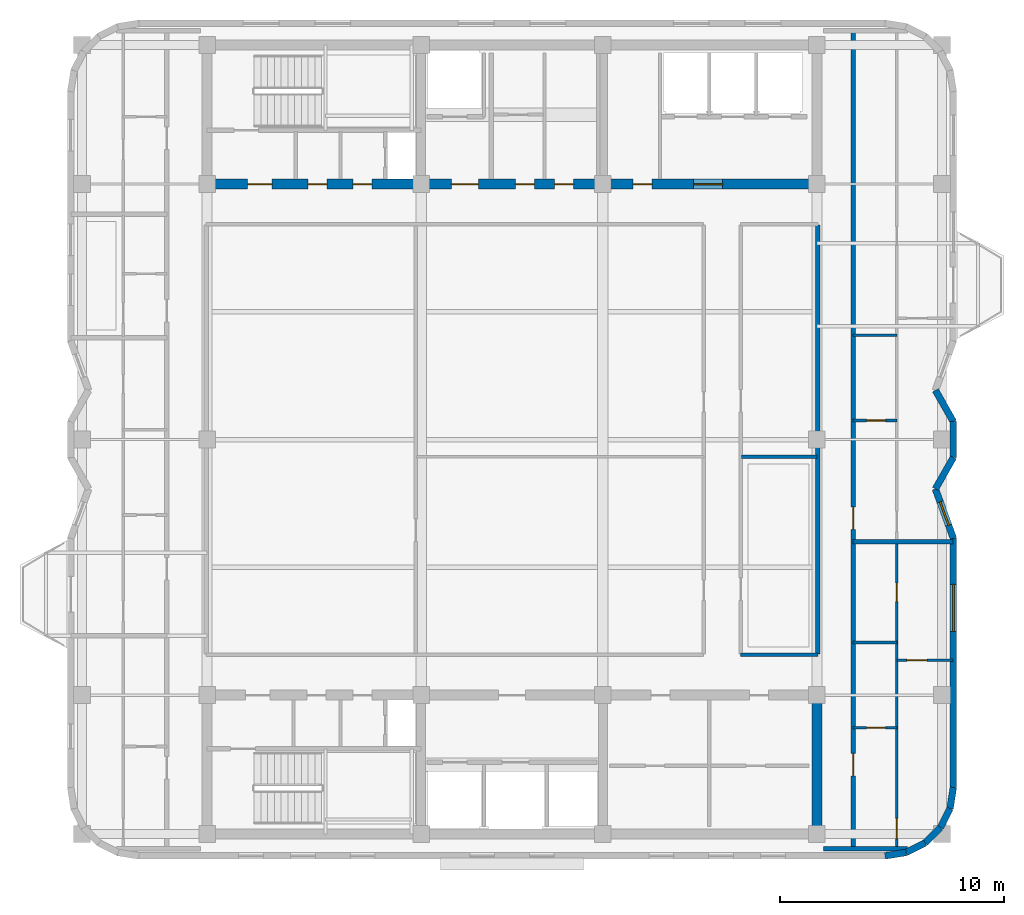
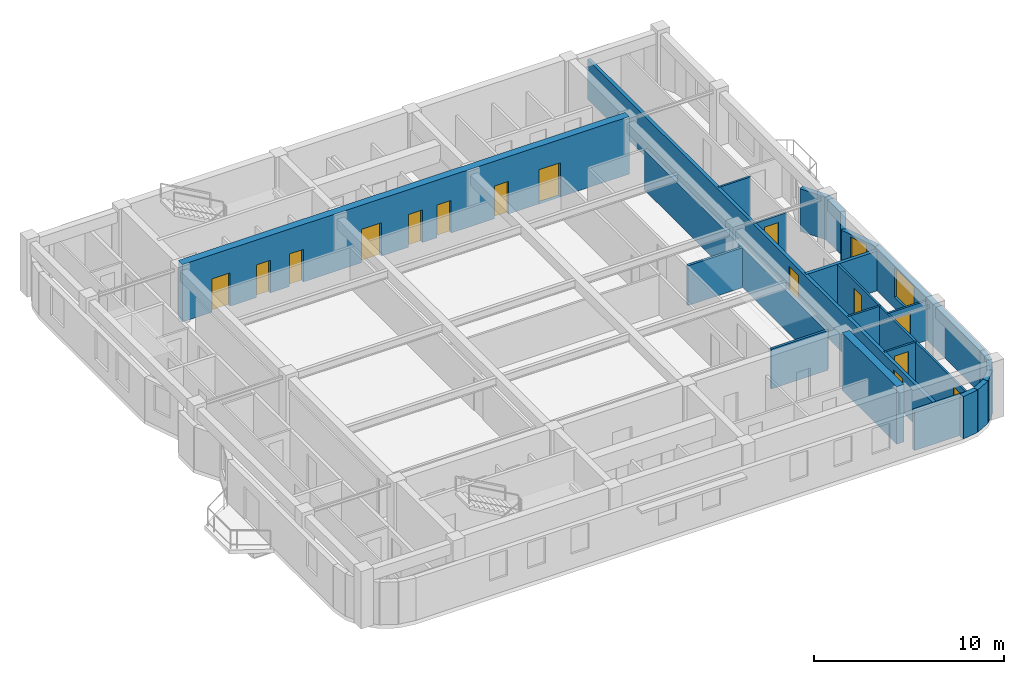
# One storey, part 5 of 9: 24 walls, 15 doors, 2 windows, 17 openings.
"""IFC4 building model written with IfcOpenShell, lengths in metres."""

from ifc_helpers import new_model, si_unit, direction, frame, frame_2d, origin, place, context, subcontext, project, spatial, rectangle, extrude, material, layer, layer_set, type_object, element, fill, save


model = new_model("IFC4")

# Units and contexts
model_context = context("Model", 3, precision=1e-05, world=origin(), true_north=direction((0.0, 1.0)))
body_context = subcontext(model_context, "Body", "Model", "MODEL_VIEW")
ifc_project = project(units=[si_unit("LENGTHUNIT", "METRE"), si_unit("AREAUNIT", "SQUARE_METRE"), si_unit("VOLUMEUNIT", "CUBIC_METRE"), si_unit("PLANEANGLEUNIT", "RADIAN"), si_unit("MASSUNIT", "GRAM", prefix="KILO")], contexts=[model_context])

# Site, building, storey
site_placement = place(None, origin())
site = spatial("IfcSite", under=ifc_project, at=site_placement, CompositionType="ELEMENT")
building_placement = place(site_placement, origin())
building = spatial("IfcBuilding", under=site, at=building_placement, Name="Svetorya Sky Lyceum", CompositionType="ELEMENT")
storey_placement = place(building_placement, frame((0.0, 0.0, 271.300048828125)))
storey = spatial("IfcBuildingStorey", under=building, at=storey_placement, Name="L68", CompositionType="ELEMENT", Elevation=271.300048828125)

# Wall
ifc_material_1 = material(Name="Concrete C50/60", Category="concrete")
ifc_layer_1 = layer(ifc_material_1, 0.449951171875)
ifc_layer_set_1 = layer_set([ifc_layer_1], Name="Concrete C50/60")
wall_type_1 = type_object("IfcWallType", Name="WL-CORE-450", PredefinedType="SHEAR", material=ifc_layer_set_1)
wall_1_placement = place(storey_placement, frame((52.800048828125, 10.824951171875, 0.0), z_axis=(0.0, 0.0, 1.0), x_axis=(0.0, 1.0, 0.0)))
element("IfcWall", 1, at=wall_1_placement, inside=storey, type_object=wall_type_1, Name="L68 SC East Core Shear Wall", PredefinedType="SHEAR", context=body_context, shape_type="SweptSolid", body=[
    extrude(rectangle(XDim=5.75, YDim=0.449951171875, at=frame_2d((2.875, 0.0))), origin(), (0.0, 0.0, 1.0), 3.699951171875),
])

# Wall, openings, doors
wall_2_placement = place(storey_placement, frame((52.800048828125, 39.60009765625, 0.0), z_axis=(0.0, 0.0, 1.0), x_axis=(-1.0, 0.0, 0.0)))
wall_2 = element("IfcWall", 2, at=wall_2_placement, inside=storey, type_object=wall_type_1, Name="L68 NC Inner Core Shear Wall", PredefinedType="SHEAR", context=body_context, shape_type="SweptSolid", body=[
    extrude(rectangle(XDim=27.199951171875, YDim=0.449951171875, at=frame_2d((13.60009765625, 0.0))), origin(), (0.0, 0.0, 1.0), 3.699951171875),
])
opening_1_placement = place(wall_2_placement, frame((24.300048828125, 0.0, 0.0)))
opening_1 = element("IfcOpeningElement", 3, at=opening_1_placement, cuts=wall_2, Name="Opening D-ST1", PredefinedType="OPENING", context=body_context, shape_type="SweptSolid", body=[
    extrude(rectangle(XDim=1.10009765625, YDim=2.14990234375, at=frame_2d((0.550048828125, 1.074951171875))), frame((0.0, 0.23486328125, 0.0), z_axis=(0.0, -1.0, 0.0), x_axis=(1.0, 0.0, 0.0)), (0.0, 0.0, 1.0), 0.469970703125),
])
opening_2_placement = place(wall_2_placement, frame((21.85009765625, 0.0, 0.0)))
opening_2 = element("IfcOpeningElement", 4, at=opening_2_placement, cuts=wall_2, Name="Opening D-CWC1", PredefinedType="OPENING", context=body_context, shape_type="SweptSolid", body=[
    extrude(rectangle(XDim=0.85009765625, YDim=2.10009765625, at=frame_2d((0.425048828125, 1.050048828125))), frame((0.0, 0.23486328125, 0.0), z_axis=(0.0, -1.0, 0.0), x_axis=(1.0, 0.0, 0.0)), (0.0, 0.0, 1.0), 0.469970703125),
])
opening_3_placement = place(wall_2_placement, frame((19.85009765625, 0.0, 0.0)))
opening_3 = element("IfcOpeningElement", 5, at=opening_3_placement, cuts=wall_2, Name="Opening D-CWC1", PredefinedType="OPENING", context=body_context, shape_type="SweptSolid", body=[
    extrude(rectangle(XDim=0.85009765625, YDim=2.10009765625, at=frame_2d((0.425048828125, 1.050048828125))), frame((0.0, 0.23486328125, 0.0), z_axis=(0.0, -1.0, 0.0), x_axis=(1.0, 0.0, 0.0)), (0.0, 0.0, 1.0), 0.469970703125),
])
opening_4_placement = place(wall_2_placement, frame((15.10009765625, 0.0, 0.0)))
opening_4 = element("IfcOpeningElement", 6, at=opening_4_placement, cuts=wall_2, Name="Opening D-FL1", PredefinedType="OPENING", context=body_context, shape_type="SweptSolid", body=[
    extrude(rectangle(XDim=1.199951171875, YDim=2.14990234375, at=frame_2d((0.60009765625, 1.074951171875))), frame((0.0, 0.23486328125, 0.0), z_axis=(0.0, -1.0, 0.0), x_axis=(1.0, 0.0, 0.0)), (0.0, 0.0, 1.0), 0.469970703125),
])
opening_5_placement = place(wall_2_placement, frame((12.60009765625, 0.0, 0.0)))
opening_5 = element("IfcOpeningElement", 7, at=opening_5_placement, cuts=wall_2, Name="Opening D-CWC1", PredefinedType="OPENING", context=body_context, shape_type="SweptSolid", body=[
    extrude(rectangle(XDim=0.85009765625, YDim=2.10009765625, at=frame_2d((0.425048828125, 1.050048828125))), frame((0.0, 0.23486328125, 0.0), z_axis=(0.0, -1.0, 0.0), x_axis=(1.0, 0.0, 0.0)), (0.0, 0.0, 1.0), 0.469970703125),
])
opening_6_placement = place(wall_2_placement, frame((10.85009765625, 0.0, 0.0)))
opening_6 = element("IfcOpeningElement", 8, at=opening_6_placement, cuts=wall_2, Name="Opening D-CWC1", PredefinedType="OPENING", context=body_context, shape_type="SweptSolid", body=[
    extrude(rectangle(XDim=0.85009765625, YDim=2.10009765625, at=frame_2d((0.425048828125, 1.050048828125))), frame((0.0, 0.23486328125, 0.0), z_axis=(0.0, -1.0, 0.0), x_axis=(1.0, 0.0, 0.0)), (0.0, 0.0, 1.0), 0.469970703125),
])
opening_7_placement = place(wall_2_placement, frame((7.35009765625, 0.0, 0.0)))
opening_7 = element("IfcOpeningElement", 9, at=opening_7_placement, cuts=wall_2, Name="Opening D-CWC1", PredefinedType="OPENING", context=body_context, shape_type="SweptSolid", body=[
    extrude(rectangle(XDim=0.85009765625, YDim=2.10009765625, at=frame_2d((0.425048828125, 1.050048828125))), frame((0.0, 0.23486328125, 0.0), z_axis=(0.0, -1.0, 0.0), x_axis=(1.0, 0.0, 0.0)), (0.0, 0.0, 1.0), 0.469970703125),
])
opening_8_placement = place(wall_2_placement, frame((4.199951171875, 0.0, 0.0)))
opening_8 = element("IfcOpeningElement", 10, at=opening_8_placement, cuts=wall_2, Name="Opening D-LB1", PredefinedType="OPENING", context=body_context, shape_type="SweptSolid", body=[
    extrude(rectangle(XDim=1.300048828125, YDim=2.199951171875, at=frame_2d((0.64990234375, 1.10009765625))), frame((0.0, 0.23486328125, 0.0), z_axis=(0.0, -1.0, 0.0), x_axis=(1.0, 0.0, 0.0)), (0.0, 0.0, 1.0), 0.469970703125),
])
ifc_material_2 = material(Name="Fire-rated galvanized steel core service closet door", Category="steel")
door_type_1 = type_object("IfcDoorType", Name="DR-CWET-850", OperationType="SINGLE_SWING_LEFT", PredefinedType="DOOR", material=ifc_material_2)
door_1_placement = place(opening_2_placement, origin())
door_1 = element("IfcDoor", 11, at=door_1_placement, inside=storey, type_object=door_type_1, Name="L68 North Cleaner Door", OperationType="SINGLE_SWING_RIGHT", OverallHeight=2.10009765625, OverallWidth=0.85009765625, PredefinedType="DOOR", context=body_context, shape_type="SweptSolid", body=[
    extrude(rectangle(XDim=0.85009765625, YDim=2.10009765625, at=frame_2d((0.425048828125, 1.050048828125))), frame((0.0, 0.02490234375, 0.0), z_axis=(0.0, -1.0, 0.0), x_axis=(1.0, 0.0, 0.0)), (0.0, 0.0, 1.0), 0.050048828125),
])
fill(opening_2, door_1)
door_2_placement = place(opening_3_placement, origin())
door_2 = element("IfcDoor", 12, at=door_2_placement, inside=storey, type_object=door_type_1, Name="L68 North Meter Door", OperationType="SINGLE_SWING_LEFT", OverallHeight=2.10009765625, OverallWidth=0.85009765625, PredefinedType="DOOR", context=body_context, shape_type="SweptSolid", body=[
    extrude(rectangle(XDim=0.85009765625, YDim=2.10009765625, at=frame_2d((0.425048828125, 1.050048828125))), frame((0.0, 0.02490234375, 0.0), z_axis=(0.0, -1.0, 0.0), x_axis=(1.0, 0.0, 0.0)), (0.0, 0.0, 1.0), 0.050048828125),
])
fill(opening_3, door_2)
door_3_placement = place(opening_5_placement, origin())
door_3 = element("IfcDoor", 13, at=door_3_placement, inside=storey, type_object=door_type_1, Name="L68 Cleaner Vestibule Door", OperationType="SINGLE_SWING_LEFT", OverallHeight=2.10009765625, OverallWidth=0.85009765625, PredefinedType="DOOR", context=body_context, shape_type="SweptSolid", body=[
    extrude(rectangle(XDim=0.85009765625, YDim=2.10009765625, at=frame_2d((0.425048828125, 1.050048828125))), frame((0.0, 0.02490234375, 0.0), z_axis=(0.0, -1.0, 0.0), x_axis=(1.0, 0.0, 0.0)), (0.0, 0.0, 1.0), 0.050048828125),
])
fill(opening_5, door_3)
door_4_placement = place(opening_6_placement, origin())
door_4 = element("IfcDoor", 14, at=door_4_placement, inside=storey, type_object=door_type_1, Name="L68 Upper Pram Store Door", OperationType="SINGLE_SWING_RIGHT", OverallHeight=2.10009765625, OverallWidth=0.85009765625, PredefinedType="DOOR", context=body_context, shape_type="SweptSolid", body=[
    extrude(rectangle(XDim=0.85009765625, YDim=2.10009765625, at=frame_2d((0.425048828125, 1.050048828125))), frame((0.0, 0.02490234375, 0.0), z_axis=(0.0, -1.0, 0.0), x_axis=(1.0, 0.0, 0.0)), (0.0, 0.0, 1.0), 0.050048828125),
])
fill(opening_6, door_4)
door_5_placement = place(opening_7_placement, origin())
door_5 = element("IfcDoor", 15, at=door_5_placement, inside=storey, type_object=door_type_1, Name="L68 High-Zone Utility Room Door", OperationType="SINGLE_SWING_LEFT", OverallHeight=2.10009765625, OverallWidth=0.85009765625, PredefinedType="DOOR", context=body_context, shape_type="SweptSolid", body=[
    extrude(rectangle(XDim=0.85009765625, YDim=2.10009765625, at=frame_2d((0.425048828125, 1.050048828125))), frame((0.0, 0.02490234375, 0.0), z_axis=(0.0, -1.0, 0.0), x_axis=(1.0, 0.0, 0.0)), (0.0, 0.0, 1.0), 0.050048828125),
])
fill(opening_7, door_5)
ifc_material_3 = material(Name="Powder-coated insulated galvanized stair fire door")
door_type_2 = type_object("IfcDoorType", Name="DR-FIRE-1100", OperationType="SINGLE_SWING_LEFT", PredefinedType="DOOR", material=ifc_material_3)
door_6_placement = place(opening_1_placement, origin())
door_6 = element("IfcDoor", 16, at=door_6_placement, inside=storey, type_object=door_type_2, Name="L68 North Stair Airlock Door", OperationType="SINGLE_SWING_LEFT", OverallHeight=2.14990234375, OverallWidth=1.10009765625, PredefinedType="DOOR", context=body_context, shape_type="SweptSolid", body=[
    extrude(rectangle(XDim=1.10009765625, YDim=2.14990234375, at=frame_2d((0.550048828125, 1.074951171875))), frame((0.0, 0.02490234375, 0.0), z_axis=(0.0, -1.0, 0.0), x_axis=(1.0, 0.0, 0.0)), (0.0, 0.0, 1.0), 0.050048828125),
])
fill(opening_1, door_6)
ifc_material_4 = material(Name="Powder-coated insulated galvanized fire door")
door_type_3 = type_object("IfcDoorType", Name="DR-FIRE-1200", OperationType="SINGLE_SWING_LEFT", PredefinedType="DOOR", material=ifc_material_4)
door_7_placement = place(opening_4_placement, origin())
door_7 = element("IfcDoor", 17, at=door_7_placement, inside=storey, type_object=door_type_3, Name="L68 North Firefighting Lift Lobby Door", OperationType="SINGLE_SWING_RIGHT", OverallHeight=2.14990234375, OverallWidth=1.199951171875, PredefinedType="DOOR", context=body_context, shape_type="SweptSolid", body=[
    extrude(rectangle(XDim=1.199951171875, YDim=2.14990234375, at=frame_2d((0.60009765625, 1.074951171875))), frame((0.0, 0.02490234375, 0.0), z_axis=(0.0, -1.0, 0.0), x_axis=(1.0, 0.0, 0.0)), (0.0, 0.0, 1.0), 0.050048828125),
])
fill(opening_4, door_7)
ifc_material_5 = material(Name="Glazed fire-rated aluminium lobby door", Category="aluminium")
door_type_4 = type_object("IfcDoorType", Name="DR-LOB-1300", OperationType="SINGLE_SWING_LEFT", PredefinedType="DOOR", material=ifc_material_5)
door_8_placement = place(opening_8_placement, origin())
door_8 = element("IfcDoor", 18, at=door_8_placement, inside=storey, type_object=door_type_4, Name="L68 North Passenger Lift Lobby Door", OperationType="SINGLE_SWING_LEFT", OverallHeight=2.199951171875, OverallWidth=1.300048828125, PredefinedType="DOOR", context=body_context, shape_type="SweptSolid", body=[
    extrude(rectangle(XDim=1.300048828125, YDim=2.199951171875, at=frame_2d((0.64990234375, 1.10009765625))), frame((0.0, 0.02490234375, 0.0), z_axis=(0.0, -1.0, 0.0), x_axis=(1.0, 0.0, 0.0)), (0.0, 0.0, 1.0), 0.050048828125),
])
fill(opening_8, door_8)

# Walls
ifc_material_6 = material(Name="Putilovo limestone rainscreen on autoclaved cellular masonry", Category="masonry")
ifc_layer_2 = layer(ifc_material_6, 0.300048828125)
ifc_layer_set_2 = layer_set([ifc_layer_2], Name="Putilovo limestone rainscreen on autoclaved cellular masonry")
wall_type_2 = type_object("IfcWallType", Name="WL-EXT-300", PredefinedType="SOLIDWALL", material=ifc_layer_set_2)
wall_3_placement = place(storey_placement, frame((55.840087890625, 9.6298828125, 0.0), z_axis=(0.0, 0.0, 1.0), x_axis=(0.987663181641, 0.156593229835, 0.0)))
element("IfcWall", 19, at=wall_3_placement, inside=storey, type_object=wall_type_2, Name="L68 Limestone Exterior Wall 7M", PredefinedType="SOLIDWALL", context=body_context, shape_type="SweptSolid", body=[
    extrude(rectangle(XDim=0.9541015625, YDim=0.300048828125, at=frame_2d((0.47705078125, 0.0))), origin(), (0.0, 0.0, 1.0), 2.72998046875),
])
for number, where, z_axis, x_axis, name in (
    (20, (56.782470703125, 9.779296875, 0.0), (0.0, 0.0, 1.0), (0.891076589373, 0.453852962833, 0.0), "L68 Limestone Exterior Wall 8M"),
    (21, (57.6328125, 10.21240234375, 0.0), (0.0, 0.0, 1.0), (0.707106781187, 0.707106781187, 0.0), "L68 Limestone Exterior Wall 9M"),
    (22, (58.3076171875, 10.88720703125, 0.0), (0.0, 0.0, 1.0), (0.453852962833, 0.891076589373, 0.0), "L68 Limestone Exterior Wall 10M"),
):
    element("IfcWall", number, at=place(storey_placement, frame(where, z_axis=z_axis, x_axis=x_axis)), inside=storey, type_object=wall_type_2, Name=name, PredefinedType="SOLIDWALL", context=body_context, shape_type="SweptSolid", body=[
        extrude(rectangle(XDim=0.954345703125, YDim=0.300048828125, at=frame_2d((0.47705078125, 0.0))), origin(), (0.0, 0.0, 1.0), 2.72998046875),
    ])
wall_4_placement = place(storey_placement, frame((58.74072265625, 11.737548828125, 0.0), z_axis=(0.0, 0.0, 1.0), x_axis=(0.156343617883, 0.987702725088, 0.0)))
element("IfcWall", 23, at=wall_4_placement, inside=storey, type_object=wall_type_2, Name="L68 Limestone Exterior Wall 11M", PredefinedType="SOLIDWALL", context=body_context, shape_type="SweptSolid", body=[
    extrude(rectangle(XDim=0.9541015625, YDim=0.300048828125, at=frame_2d((0.47705078125, 0.0))), origin(), (0.0, 0.0, 1.0), 2.72998046875),
])

# Wall, opening, window
wall_5_placement = place(storey_placement, frame((58.889892578125, 12.679931640625, 0.0), z_axis=(0.0, 0.0, 1.0), x_axis=(0.0, 1.0, 0.0)))
wall_5 = element("IfcWall", 24, at=wall_5_placement, inside=storey, type_object=wall_type_2, Name="L68 Limestone Exterior Wall 12M", PredefinedType="SOLIDWALL", context=body_context, shape_type="SweptSolid", body=[
    extrude(rectangle(XDim=11.1201171875, YDim=0.300048828125, at=frame_2d((5.56005859375, 0.0))), origin(), (0.0, 0.0, 1.0), 2.72998046875),
])
opening_9_placement = place(wall_5_placement, frame((6.965087890625, 0.0, 0.7099609375)))
opening_9 = element("IfcOpeningElement", 25, at=opening_9_placement, cuts=wall_5, Name="Opening W-R0", PredefinedType="OPENING", context=body_context, shape_type="SweptSolid", body=[
    extrude(rectangle(XDim=2.10009765625, YDim=1.89990234375, at=frame_2d((1.050048828125, 0.949951171875))), frame((0.0, 0.159912109375, 0.0), z_axis=(0.0, -1.0, 0.0), x_axis=(1.0, 0.0, 0.0)), (0.0, 0.0, 1.0), 0.320068359375),
])
ifc_material_7 = material(Name="Thermally broken aluminium frame with triple low-E glazing", Category="aluminium")
window_type_1 = type_object("IfcWindowType", Name="WN-RES-210", PartitioningType="TRIPLE_PANEL_VERTICAL", PredefinedType="WINDOW", material=ifc_material_7)
window_1_placement = place(opening_9_placement, origin())
window_1 = element("IfcWindow", 26, at=window_1_placement, inside=storey, type_object=window_type_1, Name="L68 Facade Window W-R0.12M.1", OverallHeight=1.89990234375, OverallWidth=2.10009765625, PartitioningType="SINGLE_PANEL", PredefinedType="WINDOW", context=body_context, shape_type="SweptSolid", body=[
    extrude(rectangle(XDim=2.10009765625, YDim=1.89990234375, at=frame_2d((1.050048828125, 0.949951171875))), frame((0.0, 0.030029296875, 0.0), z_axis=(0.0, -1.0, 0.0), x_axis=(1.0, 0.0, 0.0)), (0.0, 0.0, 1.0), 0.06005859375),
])
fill(opening_9, window_1)

wall_6_placement = place(storey_placement, frame((58.889892578125, 23.800048828125, 0.0), z_axis=(0.0, 0.0, 1.0), x_axis=(-0.341676068702, 0.939817782379, 0.0)))
wall_6 = element("IfcWall", 27, at=wall_6_placement, inside=storey, type_object=wall_type_2, Name="L68 Limestone Exterior Wall 13M", PredefinedType="SOLIDWALL", context=body_context, shape_type="SweptSolid", body=[
    extrude(rectangle(XDim=2.3408203125, YDim=0.300048828125, at=frame_2d((1.17041015625, 0.0))), origin(), (0.0, 0.0, 1.0), 2.72998046875),
])
opening_10_placement = place(wall_6_placement, frame((0.62060546875, 0.0, 0.919921875)))
opening_10 = element("IfcOpeningElement", 28, at=opening_10_placement, cuts=wall_6, Name="Opening W-R3", PredefinedType="OPENING", context=body_context, shape_type="SweptSolid", body=[
    extrude(rectangle(XDim=1.10009765625, YDim=1.64990234375, at=frame_2d((0.550048828125, 0.824951171875))), frame((0.0, 0.159912109375, 0.0), z_axis=(0.0, -1.0, 0.0), x_axis=(1.0, 0.0, 0.0)), (0.0, 0.0, 1.0), 0.320068359375),
])
window_type_2 = type_object("IfcWindowType", Name="WN-RES-110", PartitioningType="SINGLE_PANEL", PredefinedType="WINDOW", material=ifc_material_7)
window_2_placement = place(opening_10_placement, origin())
window_2 = element("IfcWindow", 29, at=window_2_placement, inside=storey, type_object=window_type_2, Name="L68 Facade Window W-R3.13M.1", OverallHeight=1.64990234375, OverallWidth=1.10009765625, PartitioningType="SINGLE_PANEL", PredefinedType="WINDOW", context=body_context, shape_type="SweptSolid", body=[
    extrude(rectangle(XDim=1.10009765625, YDim=1.64990234375, at=frame_2d((0.550048828125, 0.824951171875))), frame((0.0, 0.030029296875, 0.0), z_axis=(0.0, -1.0, 0.0), x_axis=(1.0, 0.0, 0.0)), (0.0, 0.0, 1.0), 0.06005859375),
])
fill(opening_10, window_2)

# Walls
wall_7_placement = place(storey_placement, frame((58.090087890625, 26.0, 0.0), z_axis=(0.0, 0.0, 1.0), x_axis=(0.496073707015, 0.868280413927, 0.0)))
element("IfcWall", 30, at=wall_7_placement, inside=storey, type_object=wall_type_2, Name="L68 Limestone Exterior Wall 14M", PredefinedType="SOLIDWALL", context=body_context, shape_type="SweptSolid", body=[
    extrude(rectangle(XDim=1.6123046875, YDim=0.300048828125, at=frame_2d((0.80615234375, 0.0))), origin(), (0.0, 0.0, 1.0), 2.72998046875),
])
wall_8_placement = place(storey_placement, frame((58.889892578125, 27.39990234375, 0.0), z_axis=(0.0, 0.0, 1.0), x_axis=(0.0, 1.0, 0.0)))
element("IfcWall", 31, at=wall_8_placement, inside=storey, type_object=wall_type_2, Name="L68 Limestone Exterior Wall 15M", PredefinedType="SOLIDWALL", context=body_context, shape_type="SweptSolid", body=[
    extrude(rectangle(XDim=1.60009765625, YDim=0.300048828125, at=frame_2d((0.800048828125, 0.0))), origin(), (0.0, 0.0, 1.0), 2.72998046875),
])
wall_9_placement = place(storey_placement, frame((58.889892578125, 29.0, 0.0), z_axis=(0.0, 0.0, 1.0), x_axis=(-0.496073707015, 0.868280413927, 0.0)))
element("IfcWall", 32, at=wall_9_placement, inside=storey, type_object=wall_type_2, Name="L68 Limestone Exterior Wall 16M", PredefinedType="SOLIDWALL", context=body_context, shape_type="SweptSolid", body=[
    extrude(rectangle(XDim=1.6123046875, YDim=0.300048828125, at=frame_2d((0.80615234375, 0.0))), origin(), (0.0, 0.0, 1.0), 2.72998046875),
])

# Wall, opening, door
ifc_material_8 = material(Name="Twin-stud galvanized framing with double fireboard", Category="gypsum")
ifc_layer_3 = layer(ifc_material_8, 0.1201171875)
ifc_layer_set_3 = layer_set([ifc_layer_3], Name="Twin-stud galvanized framing with double fireboard")
wall_type_3 = type_object("IfcWallType", Name="WL-PART-120", PredefinedType="PARTITIONING", material=ifc_layer_set_3)
wall_10_placement = place(storey_placement, frame((54.419921875, 15.35009765625, 0.0), z_axis=(0.0, 0.0, 1.0), x_axis=(1.0, 0.0, 0.0)))
wall_10 = element("IfcWall", 33, at=wall_10_placement, inside=storey, type_object=wall_type_3, Name="L68 Interior Partition E1-WH1", PredefinedType="PARTITIONING", context=body_context, shape_type="SweptSolid", body=[
    extrude(rectangle(XDim=1.9501953125, YDim=0.1201171875, at=frame_2d((0.97509765625, 0.0))), origin(), (0.0, 0.0, 1.0), 2.56005859375),
])
opening_11_placement = place(wall_10_placement, frame((0.60009765625, 0.0, 0.0)))
opening_11 = element("IfcOpeningElement", 34, at=opening_11_placement, cuts=wall_10, Name="Opening D-BT1", PredefinedType="OPENING", context=body_context, shape_type="SweptSolid", body=[
    extrude(rectangle(XDim=0.85009765625, YDim=2.10009765625, at=frame_2d((0.425048828125, 1.050048828125))), frame((0.0, 0.070068359375, 0.0), z_axis=(0.0, -1.0, 0.0), x_axis=(1.0, 0.0, 0.0)), (0.0, 0.0, 1.0), 0.14013671875),
])
ifc_material_9 = material(Name="Moisture-resistant laminate bathroom door")
door_type_5 = type_object("IfcDoorType", Name="DR-WET-850", OperationType="SINGLE_SWING_LEFT", PredefinedType="DOOR", material=ifc_material_9)
door_9_placement = place(opening_11_placement, origin())
door_9 = element("IfcDoor", 35, at=door_9_placement, inside=storey, type_object=door_type_5, Name="Apartment E1 Bathroom Door", OperationType="SINGLE_SWING_RIGHT", OverallHeight=2.10009765625, OverallWidth=0.85009765625, PredefinedType="DOOR", context=body_context, shape_type="SweptSolid", body=[
    extrude(rectangle(XDim=0.85009765625, YDim=2.10009765625, at=frame_2d((0.425048828125, 1.050048828125))), frame((0.0, 0.02490234375, 0.0), z_axis=(0.0, -1.0, 0.0), x_axis=(1.0, 0.0, 0.0)), (0.0, 0.0, 1.0), 0.050048828125),
])
fill(opening_11, door_9)

# Wall
wall_11_placement = place(storey_placement, frame((54.419921875, 19.14990234375, 0.0), z_axis=(0.0, 0.0, 1.0), x_axis=(1.0, 0.0, 0.0)))
element("IfcWall", 36, at=wall_11_placement, inside=storey, type_object=wall_type_3, Name="L68 Interior Partition E1-WH2", PredefinedType="PARTITIONING", context=body_context, shape_type="SweptSolid", body=[
    extrude(rectangle(XDim=1.9501953125, YDim=0.1201171875, at=frame_2d((0.97509765625, 0.0))), origin(), (0.0, 0.0, 1.0), 2.56005859375),
])

# Wall, opening, door
wall_12_placement = place(storey_placement, frame((56.3701171875, 18.35009765625, 0.0), z_axis=(0.0, 0.0, 1.0), x_axis=(1.0, 0.0, 0.0)))
wall_12 = element("IfcWall", 37, at=wall_12_placement, inside=storey, type_object=wall_type_3, Name="L68 Interior Partition E1-WL1", PredefinedType="PARTITIONING", context=body_context, shape_type="SweptSolid", body=[
    extrude(rectangle(XDim=2.5, YDim=0.1201171875, at=frame_2d((1.25, 0.0))), origin(), (0.0, 0.0, 1.0), 2.56005859375),
])
opening_12_placement = place(wall_12_placement, frame((0.449951171875, 0.0, 0.0)))
opening_12 = element("IfcOpeningElement", 38, at=opening_12_placement, cuts=wall_12, Name="Opening D-RM1", PredefinedType="OPENING", context=body_context, shape_type="SweptSolid", body=[
    extrude(rectangle(XDim=0.89990234375, YDim=2.10009765625, at=frame_2d((0.449951171875, 1.050048828125))), frame((0.0, 0.070068359375, 0.0), z_axis=(0.0, -1.0, 0.0), x_axis=(1.0, 0.0, 0.0)), (0.0, 0.0, 1.0), 0.14013671875),
])
ifc_material_10 = material(Name="Lacquered birch veneer internal door")
door_type_6 = type_object("IfcDoorType", Name="DR-INT-900", OperationType="SINGLE_SWING_LEFT", PredefinedType="DOOR", material=ifc_material_10)
door_10_placement = place(opening_12_placement, origin())
door_10 = element("IfcDoor", 39, at=door_10_placement, inside=storey, type_object=door_type_6, Name="Apartment E1 Bedroom 1 Door", OperationType="SINGLE_SWING_RIGHT", OverallHeight=2.10009765625, OverallWidth=0.89990234375, PredefinedType="DOOR", context=body_context, shape_type="SweptSolid", body=[
    extrude(rectangle(XDim=0.89990234375, YDim=2.10009765625, at=frame_2d((0.449951171875, 1.050048828125))), frame((0.0, 0.02490234375, 0.0), z_axis=(0.0, -1.0, 0.0), x_axis=(1.0, 0.0, 0.0)), (0.0, 0.0, 1.0), 0.050048828125),
])
fill(opening_12, door_10)

# Wall, openings, doors
wall_13_placement = place(storey_placement, frame((56.3701171875, 9.989990234375, 0.0), z_axis=(0.0, 0.0, 1.0), x_axis=(0.0, 1.0, 0.0)))
wall_13 = element("IfcWall", 40, at=wall_13_placement, inside=storey, type_object=wall_type_3, Name="L68 Interior Partition E1-WV", PredefinedType="PARTITIONING", context=body_context, shape_type="SweptSolid", body=[
    extrude(rectangle(XDim=13.6201171875, YDim=0.1201171875, at=frame_2d((6.81005859375, 0.0))), origin(), (0.0, 0.0, 1.0), 2.56005859375),
])
opening_13_placement = place(wall_13_placement, frame((0.409912109375, 0.0, 0.0)))
opening_13 = element("IfcOpeningElement", 41, at=opening_13_placement, cuts=wall_13, Name="Opening D-RM1", PredefinedType="OPENING", context=body_context, shape_type="SweptSolid", body=[
    extrude(rectangle(XDim=0.89990234375, YDim=2.10009765625, at=frame_2d((0.449951171875, 1.050048828125))), frame((0.0, 0.070068359375, 0.0), z_axis=(0.0, -1.0, 0.0), x_axis=(1.0, 0.0, 0.0)), (0.0, 0.0, 1.0), 0.14013671875),
])
opening_14_placement = place(wall_13_placement, frame((10.985107421875, 0.0, 0.0)))
opening_14 = element("IfcOpeningElement", 42, at=opening_14_placement, cuts=wall_13, Name="Opening D-BT2", PredefinedType="OPENING", context=body_context, shape_type="SweptSolid", body=[
    extrude(rectangle(XDim=0.820068359375, YDim=2.080078125, at=frame_2d((0.41015625, 1.0400390625))), frame((0.0, 0.070068359375, 0.0), z_axis=(0.0, -1.0, 0.0), x_axis=(1.0, 0.0, 0.0)), (0.0, 0.0, 1.0), 0.14013671875),
])
door_11_placement = place(opening_13_placement, origin())
door_11 = element("IfcDoor", 43, at=door_11_placement, inside=storey, type_object=door_type_6, Name="Apartment E1 Living Door", OperationType="SINGLE_SWING_LEFT", OverallHeight=2.10009765625, OverallWidth=0.89990234375, PredefinedType="DOOR", context=body_context, shape_type="SweptSolid", body=[
    extrude(rectangle(XDim=0.89990234375, YDim=2.10009765625, at=frame_2d((0.449951171875, 1.050048828125))), frame((0.0, 0.02490234375, 0.0), z_axis=(0.0, -1.0, 0.0), x_axis=(1.0, 0.0, 0.0)), (0.0, 0.0, 1.0), 0.050048828125),
])
fill(opening_13, door_11)
ifc_material_11 = material(Name="Compact moisture-resistant laminate closet door")
door_type_7 = type_object("IfcDoorType", Name="DR-WET-820", OperationType="SINGLE_SWING_LEFT", PredefinedType="DOOR", material=ifc_material_11)
door_12_placement = place(opening_14_placement, origin())
door_12 = element("IfcDoor", 44, at=door_12_placement, inside=storey, type_object=door_type_7, Name="Apartment E1 Study Door", OperationType="SINGLE_SWING_RIGHT", OverallHeight=2.080078125, OverallWidth=0.820068359375, PredefinedType="DOOR", context=body_context, shape_type="SweptSolid", body=[
    extrude(rectangle(XDim=0.820068359375, YDim=2.080078125, at=frame_2d((0.41015625, 1.0400390625))), frame((0.0, 0.02490234375, 0.0), z_axis=(0.0, -1.0, 0.0), x_axis=(1.0, 0.0, 0.0)), (0.0, 0.0, 1.0), 0.050048828125),
])
fill(opening_14, door_12)

# Wall, opening, door
wall_14_placement = place(storey_placement, frame((54.419921875, 29.050048828125, 0.0), z_axis=(0.0, 0.0, 1.0), x_axis=(1.0, 0.0, 0.0)))
wall_14 = element("IfcWall", 45, at=wall_14_placement, inside=storey, type_object=wall_type_3, Name="L68 Interior Partition E2-WH1", PredefinedType="PARTITIONING", context=body_context, shape_type="SweptSolid", body=[
    extrude(rectangle(XDim=1.9501953125, YDim=0.1201171875, at=frame_2d((0.97509765625, 0.0))), origin(), (0.0, 0.0, 1.0), 2.56005859375),
])
opening_15_placement = place(wall_14_placement, frame((0.60009765625, 0.0, 0.0)))
opening_15 = element("IfcOpeningElement", 46, at=opening_15_placement, cuts=wall_14, Name="Opening D-BT1", PredefinedType="OPENING", context=body_context, shape_type="SweptSolid", body=[
    extrude(rectangle(XDim=0.85009765625, YDim=2.10009765625, at=frame_2d((0.425048828125, 1.050048828125))), frame((0.0, 0.070068359375, 0.0), z_axis=(0.0, -1.0, 0.0), x_axis=(1.0, 0.0, 0.0)), (0.0, 0.0, 1.0), 0.14013671875),
])
door_13_placement = place(opening_15_placement, origin())
door_13 = element("IfcDoor", 47, at=door_13_placement, inside=storey, type_object=door_type_5, Name="Apartment E2 Bathroom Door", OperationType="SINGLE_SWING_LEFT", OverallHeight=2.10009765625, OverallWidth=0.85009765625, PredefinedType="DOOR", context=body_context, shape_type="SweptSolid", body=[
    extrude(rectangle(XDim=0.85009765625, YDim=2.10009765625, at=frame_2d((0.425048828125, 1.050048828125))), frame((0.0, 0.02490234375, 0.0), z_axis=(0.0, -1.0, 0.0), x_axis=(1.0, 0.0, 0.0)), (0.0, 0.0, 1.0), 0.050048828125),
])
fill(opening_15, door_13)

# Walls
wall_15_placement = place(storey_placement, frame((54.419921875, 32.85009765625, 0.0), z_axis=(0.0, 0.0, 1.0), x_axis=(1.0, 0.0, 0.0)))
element("IfcWall", 48, at=wall_15_placement, inside=storey, type_object=wall_type_3, Name="L68 Interior Partition E2-WH2", PredefinedType="PARTITIONING", context=body_context, shape_type="SweptSolid", body=[
    extrude(rectangle(XDim=1.9501953125, YDim=0.1201171875, at=frame_2d((0.97509765625, 0.0))), origin(), (0.0, 0.0, 1.0), 2.56005859375),
])
ifc_material_12 = material(Name="Autoclaved cellular masonry blockwork with acoustic render", Category="masonry")
ifc_layer_4 = layer(ifc_material_12, 0.14990234375)
ifc_layer_set_4 = layer_set([ifc_layer_4], Name="Autoclaved cellular masonry blockwork with acoustic render")
wall_type_4 = type_object("IfcWallType", Name="WL-PART-150", PredefinedType="PARTITIONING", material=ifc_layer_set_4)
wall_16_placement = place(storey_placement, frame((49.39990234375, 18.60009765625, 0.0), z_axis=(0.0, 0.0, 1.0), x_axis=(1.0, 0.0, 0.0)))
element("IfcWall", 49, at=wall_16_placement, inside=storey, type_object=wall_type_4, Name="L68 Interior Partition OFF-CS-E", PredefinedType="PARTITIONING", context=body_context, shape_type="SweptSolid", body=[
    extrude(rectangle(XDim=3.4501953125, YDim=0.14990234375, at=frame_2d((1.72509765625, 0.0))), origin(), (0.0, 0.0, 1.0), 2.56005859375),
])
wall_17_placement = place(storey_placement, frame((49.429931640625, 27.434326171875, 0.0), z_axis=(0.0, 0.0, 1.0), x_axis=(1.0, 0.0, 0.0)))
element("IfcWall", 50, at=wall_17_placement, inside=storey, type_object=wall_type_4, Name="L68 Interior Partition OFF-HE", PredefinedType="PARTITIONING", context=body_context, shape_type="SweptSolid", body=[
    extrude(rectangle(XDim=3.3701171875, YDim=0.14990234375, at=frame_2d((1.68505859375, 0.0))), origin(), (0.0, 0.0, 1.0), 2.56005859375),
])
ifc_material_13 = material(Name="Autoclaved cellular masonry blockwork with gypsum plaster", Category="masonry")
ifc_layer_5 = layer(ifc_material_13, 0.199951171875)
ifc_layer_set_5 = layer_set([ifc_layer_5], Name="Autoclaved cellular masonry blockwork with gypsum plaster")
wall_type_5 = type_object("IfcWallType", Name="WL-PART-200", PredefinedType="PARTITIONING", material=ifc_layer_set_5)
wall_18_placement = place(storey_placement, frame((52.85009765625, 18.6298828125, 0.0), z_axis=(0.0, 0.0, 1.0), x_axis=(0.0, 1.0, 0.0)))
element("IfcWall", 51, at=wall_18_placement, inside=storey, type_object=wall_type_5, Name="L68 Interior Partition E-CEN-SEP", PredefinedType="PARTITIONING", context=body_context, shape_type="SweptSolid", body=[
    extrude(rectangle(XDim=19.14013671875, YDim=0.199951171875, at=frame_2d((9.570068359375, 0.0))), origin(), (0.0, 0.0, 1.0), 2.56005859375),
])
wall_19_placement = place(storey_placement, frame((54.419921875, 23.64990234375, 0.0), z_axis=(0.0, 0.0, 1.0), x_axis=(1.0, 0.0, 0.0)))
element("IfcWall", 52, at=wall_19_placement, inside=storey, type_object=wall_type_5, Name="L68 Interior Partition E-PARTY-1", PredefinedType="PARTITIONING", context=body_context, shape_type="SweptSolid", body=[
    extrude(rectangle(XDim=4.4501953125, YDim=0.199951171875, at=frame_2d((2.22509765625, 0.0))), origin(), (0.0, 0.0, 1.0), 2.56005859375),
])

# Wall, openings, doors
wall_20_placement = place(storey_placement, frame((54.419921875, 9.949951171875, 0.0), z_axis=(0.0, 0.0, 1.0), x_axis=(0.0, 1.0, 0.0)))
wall_20 = element("IfcWall", 53, at=wall_20_placement, inside=storey, type_object=wall_type_5, Name="L68 Interior Partition E-CORRW", PredefinedType="PARTITIONING", context=body_context, shape_type="SweptSolid", body=[
    extrude(rectangle(XDim=36.5, YDim=0.199951171875, at=frame_2d((18.25, 0.0))), origin(), (0.0, 0.0, 1.0), 2.56005859375),
])
opening_16_placement = place(wall_20_placement, frame((3.25, 0.0, 0.0)))
opening_16 = element("IfcOpeningElement", 54, at=opening_16_placement, cuts=wall_20, Name="Opening D-APT1", PredefinedType="OPENING", context=body_context, shape_type="SweptSolid", body=[
    extrude(rectangle(XDim=1.0, YDim=2.14990234375, at=frame_2d((0.5, 1.074951171875))), frame((0.0, 0.10986328125, 0.0), z_axis=(0.0, -1.0, 0.0), x_axis=(1.0, 0.0, 0.0)), (0.0, 0.0, 1.0), 0.219970703125),
])
opening_17_placement = place(wall_20_placement, frame((14.25, 0.0, 0.0)))
opening_17 = element("IfcOpeningElement", 55, at=opening_17_placement, cuts=wall_20, Name="Opening D-APT1", PredefinedType="OPENING", context=body_context, shape_type="SweptSolid", body=[
    extrude(rectangle(XDim=1.0, YDim=2.14990234375, at=frame_2d((0.5, 1.074951171875))), frame((0.0, 0.10986328125, 0.0), z_axis=(0.0, -1.0, 0.0), x_axis=(1.0, 0.0, 0.0)), (0.0, 0.0, 1.0), 0.219970703125),
])
ifc_material_14 = material(Name="Insulated oak-veneered apartment entrance door")
door_type_8 = type_object("IfcDoorType", Name="DR-APT-1000", OperationType="SINGLE_SWING_LEFT", PredefinedType="DOOR", material=ifc_material_14)
door_14_placement = place(opening_16_placement, origin())
door_14 = element("IfcDoor", 56, at=door_14_placement, inside=storey, type_object=door_type_8, Name="L68 Apartment E1 Entrance Door", OperationType="SINGLE_SWING_RIGHT", OverallHeight=2.14990234375, OverallWidth=1.0, PredefinedType="DOOR", context=body_context, shape_type="SweptSolid", body=[
    extrude(rectangle(XDim=1.0, YDim=2.14990234375, at=frame_2d((0.5, 1.074951171875))), frame((0.0, 0.02490234375, 0.0), z_axis=(0.0, -1.0, 0.0), x_axis=(1.0, 0.0, 0.0)), (0.0, 0.0, 1.0), 0.050048828125),
])
fill(opening_16, door_14)
door_15_placement = place(opening_17_placement, origin())
door_15 = element("IfcDoor", 57, at=door_15_placement, inside=storey, type_object=door_type_8, Name="L68 Apartment E2 Entrance Door", OperationType="SINGLE_SWING_LEFT", OverallHeight=2.14990234375, OverallWidth=1.0, PredefinedType="DOOR", context=body_context, shape_type="SweptSolid", body=[
    extrude(rectangle(XDim=1.0, YDim=2.14990234375, at=frame_2d((0.5, 1.074951171875))), frame((0.0, 0.02490234375, 0.0), z_axis=(0.0, -1.0, 0.0), x_axis=(1.0, 0.0, 0.0)), (0.0, 0.0, 1.0), 0.050048828125),
])
fill(opening_17, door_15)

# Wall
wall_21_placement = place(storey_placement, frame((53.10009765625, 9.949951171875, 0.0), z_axis=(0.0, 0.0, 1.0), x_axis=(1.0, 0.0, 0.0)))
element("IfcWall", 58, at=wall_21_placement, inside=storey, type_object=wall_type_5, Name="L68 Interior Partition E-CAP-S", PredefinedType="PARTITIONING", context=body_context, shape_type="SweptSolid", body=[
    extrude(rectangle(XDim=3.75390625, YDim=0.199951171875, at=frame_2d((1.876953125, 0.0))), origin(), (0.0, 0.0, 1.0), 2.56005859375),
])

save(model, "model.ifc")
